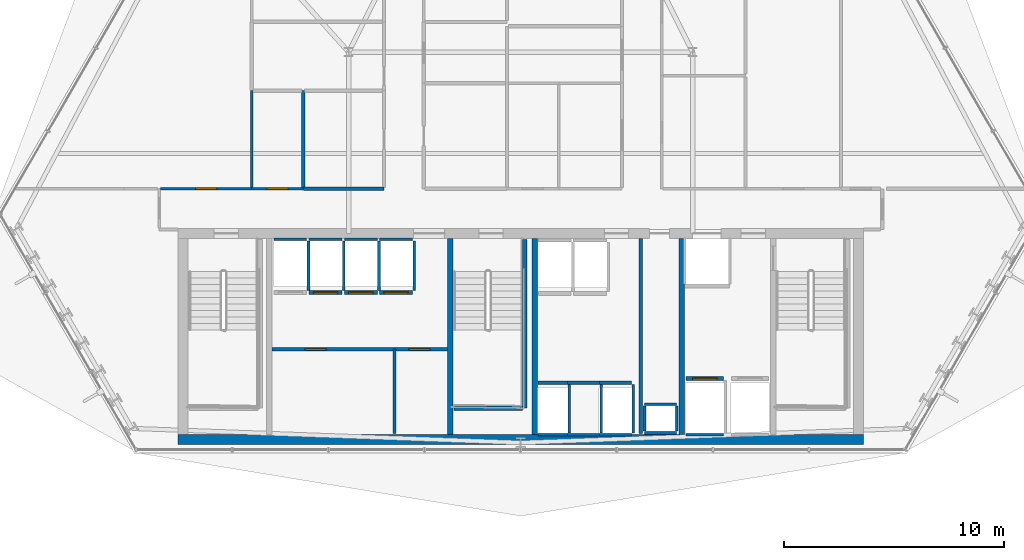
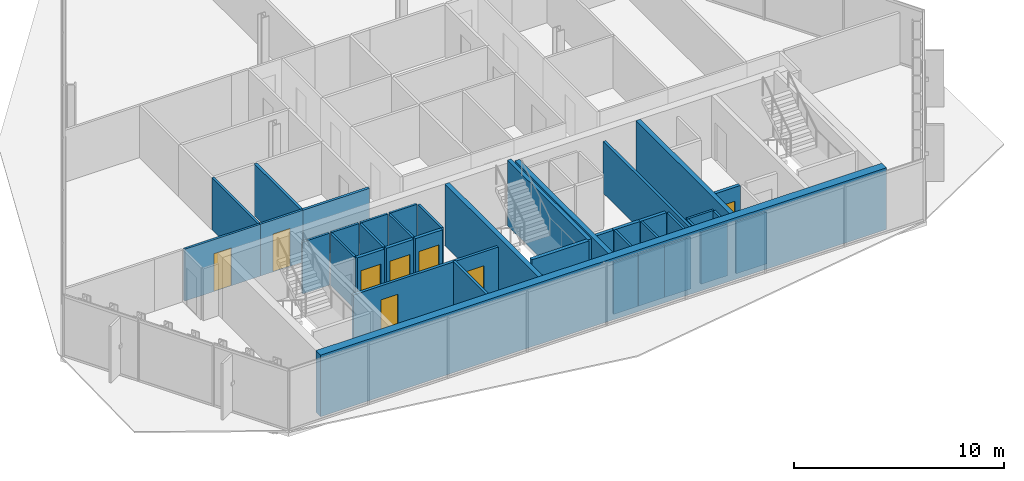
# One storey, part 27 of 36: 40 walls, 8 doors, 8 openings.
"""IFC4 building model written with IfcOpenShell, lengths in metres."""

from ifc_helpers import new_model, si_unit, direction, frame, frame_2d, origin, place, context, subcontext, project, spatial, rectangle, extrude, material, layer, layer_set, type_object, element, fill, save


model = new_model("IFC4")

# Units and contexts
model_context = context("Model", 3, precision=1e-05, world=origin(), true_north=direction((0.0, 1.0)))
body_context = subcontext(model_context, "Body", "Model", "MODEL_VIEW")
ifc_project = project(units=[si_unit("LENGTHUNIT", "METRE"), si_unit("AREAUNIT", "SQUARE_METRE"), si_unit("VOLUMEUNIT", "CUBIC_METRE"), si_unit("PLANEANGLEUNIT", "RADIAN"), si_unit("MASSUNIT", "GRAM", prefix="KILO")], contexts=[model_context])

# Site, building, storey
site_placement = place(None, origin())
site = spatial("IfcSite", under=ifc_project, at=site_placement, CompositionType="ELEMENT")
building_placement = place(site_placement, origin())
building = spatial("IfcBuilding", under=site, at=building_placement, Name="Ndaravel Arena Tower", CompositionType="ELEMENT")
storey_placement = place(building_placement, frame((0.0, 0.0, 127.0)))
storey = spatial("IfcBuildingStorey", under=building, at=storey_placement, Name="L29", CompositionType="ELEMENT", Elevation=127.0)

# Wall
ifc_material_1 = material(Name="Gypsum", Category="gypsum")
ifc_layer_1 = layer(ifc_material_1, 0.14990234375)
ifc_layer_set_1 = layer_set([ifc_layer_1], Name="Gypsum")
wall_type_1 = type_object("IfcWallType", Name="WALL-COMP-150", PredefinedType="PARTITIONING", material=ifc_layer_set_1)
wall_1_placement = place(storey_placement, frame((47.449951171875, 5.89990234375, 0.0), z_axis=(0.0, 0.0, 1.0), x_axis=(0.0, 1.0, 0.0)))
element("IfcWall", 1, at=wall_1_placement, inside=storey, type_object=wall_type_1, Name="L29 Core Riser Bay Partition", PredefinedType="PARTITIONING", context=body_context, shape_type="SweptSolid", body=[
    extrude(rectangle(XDim=8.85009765625, YDim=0.14990234375, at=frame_2d((4.425048828125, 0.0))), origin(), (0.0, 0.0, 1.0), 3.010498046875),
])

# Wall, openings, doors
wall_2_placement = place(storey_placement, frame((30.719970703125, 9.719970703125, 0.0), z_axis=(0.0, 0.0, 1.0), x_axis=(1.0, 0.0, 0.0)))
wall_2 = element("IfcWall", 2, at=wall_2_placement, inside=storey, type_object=wall_type_1, Name="L29 Reclaimed Shaft Partition", PredefinedType="PARTITIONING", context=body_context, shape_type="SweptSolid", body=[
    extrude(rectangle(XDim=7.9599609375, YDim=0.14990234375, at=frame_2d((3.97998046875, 0.0))), origin(), (0.0, 0.0, 1.0), 3.010498046875),
])
opening_1_placement = place(wall_2_placement, frame((1.5, 0.0, 0.0)))
opening_1 = element("IfcOpeningElement", 3, at=opening_1_placement, cuts=wall_2, Name="Opening FD-03", PredefinedType="OPENING", context=body_context, shape_type="SweptSolid", body=[
    extrude(rectangle(XDim=0.949951171875, YDim=2.199951171875, at=frame_2d((0.47509765625, 1.10009765625))), frame((0.0, 0.074951171875, 0.0), z_axis=(0.0, -1.0, 0.0), x_axis=(1.0, 0.0, 0.0)), (0.0, 0.0, 1.0), 0.14990234375),
])
opening_2_placement = place(wall_2_placement, frame((6.2099609375, 0.0, 0.0)))
opening_2 = element("IfcOpeningElement", 4, at=opening_2_placement, cuts=wall_2, Name="Opening FD-03", PredefinedType="OPENING", context=body_context, shape_type="SweptSolid", body=[
    extrude(rectangle(XDim=0.949951171875, YDim=2.199951171875, at=frame_2d((0.47509765625, 1.10009765625))), frame((0.0, 0.074951171875, 0.0), z_axis=(0.0, -1.0, 0.0), x_axis=(1.0, 0.0, 0.0)), (0.0, 0.0, 1.0), 0.14990234375),
])
ifc_material_2 = material(Name="Steel S355", Category="steel")
door_type_1 = type_object("IfcDoorType", Name="DT-11-CORE-950", OperationType="SINGLE_SWING_LEFT", PredefinedType="DOOR", material=ifc_material_2)
door_1_placement = place(opening_1_placement, origin())
door_1 = element("IfcDoor", 5, at=door_1_placement, inside=storey, type_object=door_type_1, Name="L29 ICT Server Room Door", OperationType="SINGLE_SWING_LEFT", OverallHeight=2.199951171875, OverallWidth=0.949951171875, PredefinedType="DOOR", context=body_context, shape_type="SweptSolid", body=[
    extrude(rectangle(XDim=0.949951171875, YDim=2.199951171875, at=frame_2d((0.47509765625, 1.10009765625))), frame((0.0, 0.02490234375, 0.0), z_axis=(0.0, -1.0, 0.0), x_axis=(1.0, 0.0, 0.0)), (0.0, 0.0, 1.0), 0.050048828125),
])
fill(opening_1, door_1)
door_2_placement = place(opening_2_placement, origin())
door_2 = element("IfcDoor", 6, at=door_2_placement, inside=storey, type_object=door_type_1, Name="L29 Core Archive Room Door", OperationType="SINGLE_SWING_RIGHT", OverallHeight=2.199951171875, OverallWidth=0.949951171875, PredefinedType="DOOR", context=body_context, shape_type="SweptSolid", body=[
    extrude(rectangle(XDim=0.949951171875, YDim=2.199951171875, at=frame_2d((0.47509765625, 1.10009765625))), frame((0.0, 0.02490234375, 0.0), z_axis=(0.0, -1.0, 0.0), x_axis=(1.0, 0.0, 0.0)), (0.0, 0.0, 1.0), 0.050048828125),
])
fill(opening_2, door_2)

# Walls
wall_3_placement = place(storey_placement, frame((36.280029296875, 5.89990234375, 0.0), z_axis=(0.0, 0.0, 1.0), x_axis=(0.0, 1.0, 0.0)))
element("IfcWall", 7, at=wall_3_placement, inside=storey, type_object=wall_type_1, Name="L29 Reclaimed Bay Divider", PredefinedType="PARTITIONING", context=body_context, shape_type="SweptSolid", body=[
    extrude(rectangle(XDim=3.820068359375, YDim=0.14990234375, at=frame_2d((1.91015625, 0.0))), origin(), (0.0, 0.0, 1.0), 3.010498046875),
])
ifc_material_3 = material(Name="Concrete C60/75", Category="concrete")
ifc_layer_2 = layer(ifc_material_3, 0.25)
ifc_layer_set_2 = layer_set([ifc_layer_2], Name="Concrete C60/75")
wall_type_2 = type_object("IfcWallType", Name="WALL-CORE-250", PredefinedType="SOLIDWALL", material=ifc_layer_set_2)
for number, where, z_axis, x_axis, name in (
    (8, (38.800048828125, 5.85009765625, 0.0), (0.0, 0.0, 1.0), (0.0, 1.0, 0.0), "L29 Core Web Shear Wall 2"),
    (9, (42.64990234375, 5.85009765625, 0.0), (0.0, 0.0, 1.0), (0.0, 1.0, 0.0), "L29 Core Web Shear Wall 3"),
    (10, (49.300048828125, 5.85009765625, 0.0), (0.0, 0.0, 1.0), (0.0, 1.0, 0.0), "L29 Core Web Shear Wall 4"),
):
    element("IfcWall", number, at=place(storey_placement, frame(where, z_axis=z_axis, x_axis=x_axis)), inside=storey, type_object=wall_type_2, Name=name, PredefinedType="SOLIDWALL", context=body_context, shape_type="SweptSolid", body=[
        extrude(rectangle(XDim=8.89990234375, YDim=0.25, at=frame_2d((4.449951171875, 0.0))), origin(), (0.0, 0.0, 1.0), 3.580078125),
    ])
ifc_material_4 = material(Name="Concrete C60/75", Category="concrete")
ifc_layer_3 = layer(ifc_material_4, 0.449951171875)
ifc_layer_set_3 = layer_set([ifc_layer_3], Name="Concrete C60/75")
wall_type_3 = type_object("IfcWallType", Name="WALL-CORE-450", PredefinedType="SOLIDWALL", material=ifc_layer_set_3)
wall_4_placement = place(storey_placement, frame((26.449951171875, 5.625, 0.0), z_axis=(0.0, 0.0, 1.0), x_axis=(1.0, 0.0, 0.0)))
element("IfcWall", 11, at=wall_4_placement, inside=storey, type_object=wall_type_3, Name="L29 Core South Shear Wall", PredefinedType="SOLIDWALL", context=body_context, shape_type="SweptSolid", body=[
    extrude(rectangle(XDim=31.10009765625, YDim=0.449951171875, at=frame_2d((15.550048828125, 0.0))), origin(), (0.0, 0.0, 1.0), 3.580078125),
])

# Wall, opening, door
ifc_material_5 = material(Name="Gypsum", Category="gypsum")
ifc_layer_4 = layer(ifc_material_5, 0.125)
ifc_layer_set_4 = layer_set([ifc_layer_4], Name="Gypsum")
wall_type_4 = type_object("IfcWallType", Name="WALL-PART-125", PredefinedType="PARTITIONING", material=ifc_layer_set_4)
wall_5_placement = place(storey_placement, frame((25.6650390625, 17.0, 0.0), z_axis=(0.0, 0.0, 1.0), x_axis=(1.0, 0.0, 0.0)))
wall_5 = element("IfcWall", 12, at=wall_5_placement, inside=storey, type_object=wall_type_4, Name="L29 Interior Partition 005", PredefinedType="PARTITIONING", context=body_context, shape_type="SweptSolid", body=[
    extrude(rectangle(XDim=4.135009765625, YDim=0.125, at=frame_2d((2.0673828125, 0.0))), origin(), (0.0, 0.0, 1.0), 3.010498046875),
])
opening_3_placement = place(wall_5_placement, frame((1.592529296875, 0.0, 0.0)))
opening_3 = element("IfcOpeningElement", 13, at=opening_3_placement, cuts=wall_5, Name="Opening ID-01", PredefinedType="OPENING", context=body_context, shape_type="SweptSolid", body=[
    extrude(rectangle(XDim=0.949951171875, YDim=2.199951171875, at=frame_2d((0.47509765625, 1.10009765625))), frame((0.0, 0.0625, 0.0), z_axis=(0.0, -1.0, 0.0), x_axis=(1.0, 0.0, 0.0)), (0.0, 0.0, 1.0), 0.125),
])
ifc_material_6 = material(Name="Timber", Category="wood")
door_type_2 = type_object("IfcDoorType", Name="DT-03-OFFICE-950", OperationType="SINGLE_SWING_LEFT", PredefinedType="DOOR", material=ifc_material_6)
door_3_placement = place(opening_3_placement, origin())
door_3 = element("IfcDoor", 14, at=door_3_placement, inside=storey, type_object=door_type_2, Name="L29 Barista Galley 3 Door", OperationType="SINGLE_SWING_LEFT", OverallHeight=2.199951171875, OverallWidth=0.949951171875, PredefinedType="DOOR", context=body_context, shape_type="SweptSolid", body=[
    extrude(rectangle(XDim=0.949951171875, YDim=2.199951171875, at=frame_2d((0.47509765625, 1.10009765625))), frame((0.0, 0.02490234375, 0.0), z_axis=(0.0, -1.0, 0.0), x_axis=(1.0, 0.0, 0.0)), (0.0, 0.0, 1.0), 0.050048828125),
])
fill(opening_3, door_3)

wall_6_placement = place(storey_placement, frame((29.800048828125, 17.0, 0.0), z_axis=(0.0, 0.0, 1.0), x_axis=(1.0, 0.0, 0.0)))
wall_6 = element("IfcWall", 15, at=wall_6_placement, inside=storey, type_object=wall_type_4, Name="L29 Interior Partition 006", PredefinedType="PARTITIONING", context=body_context, shape_type="SweptSolid", body=[
    extrude(rectangle(XDim=2.33984375, YDim=0.125, at=frame_2d((1.169921875, 0.0))), origin(), (0.0, 0.0, 1.0), 3.010498046875),
])
opening_4_placement = place(wall_6_placement, frame((0.695068359375, 0.0, 0.0)))
opening_4 = element("IfcOpeningElement", 16, at=opening_4_placement, cuts=wall_6, Name="Opening ID-01", PredefinedType="OPENING", context=body_context, shape_type="SweptSolid", body=[
    extrude(rectangle(XDim=0.949951171875, YDim=2.199951171875, at=frame_2d((0.47509765625, 1.10009765625))), frame((0.0, 0.0625, 0.0), z_axis=(0.0, -1.0, 0.0), x_axis=(1.0, 0.0, 0.0)), (0.0, 0.0, 1.0), 0.125),
])
door_4_placement = place(opening_4_placement, origin())
door_4 = element("IfcDoor", 17, at=door_4_placement, inside=storey, type_object=door_type_2, Name="L29 Staff Wellness Clinic Door", OperationType="SINGLE_SWING_RIGHT", OverallHeight=2.199951171875, OverallWidth=0.949951171875, PredefinedType="DOOR", context=body_context, shape_type="SweptSolid", body=[
    extrude(rectangle(XDim=0.949951171875, YDim=2.199951171875, at=frame_2d((0.47509765625, 1.10009765625))), frame((0.0, 0.02490234375, 0.0), z_axis=(0.0, -1.0, 0.0), x_axis=(1.0, 0.0, 0.0)), (0.0, 0.0, 1.0), 0.050048828125),
])
fill(opening_4, door_4)

# Walls
wall_7_placement = place(storey_placement, frame((29.800048828125, 17.06494140625, 0.0), z_axis=(0.0, 0.0, 1.0), x_axis=(0.0, 1.0, 0.0)))
element("IfcWall", 18, at=wall_7_placement, inside=storey, type_object=wall_type_4, Name="L29 Interior Partition 031", PredefinedType="PARTITIONING", context=body_context, shape_type="SweptSolid", body=[
    extrude(rectangle(XDim=4.381103515625, YDim=0.125, at=frame_2d((2.1904296875, 0.0))), origin(), (0.0, 0.0, 1.0), 3.010498046875),
])
ifc_material_7 = material(Name="Concrete C40/50", Category="concrete")
ifc_layer_5 = layer(ifc_material_7, 0.1201171875)
ifc_layer_set_5 = layer_set([ifc_layer_5], Name="Concrete C40/50")
wall_type_5 = type_object("IfcWallType", Name="WALL-SHAFT-120", PredefinedType="SOLIDWALL", material=ifc_layer_set_5)
for number, where, z_axis, x_axis, name in (
    (19, (47.6201171875, 5.919921875, 0.0), (0.0, 0.0, 1.0), (1.0, 0.0, 0.0), "L29 MEP Riser Shaft S Wall"),
    (20, (47.6201171875, 7.219970703125, 0.0), (0.0, 0.0, 1.0), (1.0, 0.0, 0.0), "L29 MEP Riser Shaft N Wall"),
):
    element("IfcWall", number, at=place(storey_placement, frame(where, z_axis=z_axis, x_axis=x_axis)), inside=storey, type_object=wall_type_5, Name=name, PredefinedType="SOLIDWALL", context=body_context, shape_type="SweptSolid", body=[
        extrude(rectangle(XDim=1.4599609375, YDim=0.1201171875, at=frame_2d((0.72998046875, 0.0))), origin(), (0.0, 0.0, 1.0), 3.010498046875),
    ])
for number, where, z_axis, x_axis, name in (
    (21, (47.6201171875, 6.0, 0.0), (0.0, 0.0, 1.0), (0.0, 1.0, 0.0), "L29 MEP Riser Shaft W Wall"),
    (22, (49.080078125, 6.0, 0.0), (0.0, 0.0, 1.0), (0.0, 1.0, 0.0), "L29 MEP Riser Shaft E Wall"),
):
    element("IfcWall", number, at=place(storey_placement, frame(where, z_axis=z_axis, x_axis=x_axis)), inside=storey, type_object=wall_type_5, Name=name, PredefinedType="SOLIDWALL", context=body_context, shape_type="SweptSolid", body=[
        extrude(rectangle(XDim=1.139892578125, YDim=0.1201171875, at=frame_2d((0.56982421875, 0.0))), origin(), (0.0, 0.0, 1.0), 3.010498046875),
    ])
wall_8_placement = place(storey_placement, frame((30.804931640625, 14.7099609375, 0.0), z_axis=(0.0, 0.0, 1.0), x_axis=(1.0, 0.0, 0.0)))
element("IfcWall", 23, at=wall_8_placement, inside=storey, type_object=wall_type_5, Name="L29 PL-M1 Shaft Rear Wall", PredefinedType="SOLIDWALL", context=body_context, shape_type="SweptSolid", body=[
    extrude(rectangle(XDim=1.489990234375, YDim=0.1201171875, at=frame_2d((0.7451171875, 0.0))), origin(), (0.0, 0.0, 1.0), 3.010498046875),
])
wall_9_placement = place(storey_placement, frame((32.375, 12.389892578125, 0.0), z_axis=(0.0, 0.0, 1.0), x_axis=(0.0, 1.0, 0.0)))
element("IfcWall", 24, at=wall_9_placement, inside=storey, type_object=wall_type_5, Name="L29 PL-M1 Shaft Side R Wall", PredefinedType="SOLIDWALL", context=body_context, shape_type="SweptSolid", body=[
    extrude(rectangle(XDim=2.230224609375, YDim=0.1201171875, at=frame_2d((1.115234375, 0.0))), origin(), (0.0, 0.0, 1.0), 3.010498046875),
])
wall_10_placement = place(storey_placement, frame((32.405029296875, 14.7099609375, 0.0), z_axis=(0.0, 0.0, 1.0), x_axis=(1.0, 0.0, 0.0)))
element("IfcWall", 25, at=wall_10_placement, inside=storey, type_object=wall_type_5, Name="L29 PL-M2 Shaft Rear Wall", PredefinedType="SOLIDWALL", context=body_context, shape_type="SweptSolid", body=[
    extrude(rectangle(XDim=1.489990234375, YDim=0.1201171875, at=frame_2d((0.7451171875, 0.0))), origin(), (0.0, 0.0, 1.0), 3.010498046875),
])
wall_11_placement = place(storey_placement, frame((33.97509765625, 12.389892578125, 0.0), z_axis=(0.0, 0.0, 1.0), x_axis=(0.0, 1.0, 0.0)))
element("IfcWall", 26, at=wall_11_placement, inside=storey, type_object=wall_type_5, Name="L29 PL-M2 Shaft Side R Wall", PredefinedType="SOLIDWALL", context=body_context, shape_type="SweptSolid", body=[
    extrude(rectangle(XDim=2.230224609375, YDim=0.1201171875, at=frame_2d((1.115234375, 0.0))), origin(), (0.0, 0.0, 1.0), 3.010498046875),
])
wall_12_placement = place(storey_placement, frame((34.0048828125, 14.7099609375, 0.0), z_axis=(0.0, 0.0, 1.0), x_axis=(1.0, 0.0, 0.0)))
element("IfcWall", 27, at=wall_12_placement, inside=storey, type_object=wall_type_5, Name="L29 PL-M3 Shaft Rear Wall", PredefinedType="SOLIDWALL", context=body_context, shape_type="SweptSolid", body=[
    extrude(rectangle(XDim=1.490234375, YDim=0.1201171875, at=frame_2d((0.7451171875, 0.0))), origin(), (0.0, 0.0, 1.0), 3.010498046875),
])
wall_13_placement = place(storey_placement, frame((35.574951171875, 12.389892578125, 0.0), z_axis=(0.0, 0.0, 1.0), x_axis=(0.0, 1.0, 0.0)))
element("IfcWall", 28, at=wall_13_placement, inside=storey, type_object=wall_type_5, Name="L29 PL-M3 Shaft Side R Wall", PredefinedType="SOLIDWALL", context=body_context, shape_type="SweptSolid", body=[
    extrude(rectangle(XDim=2.230224609375, YDim=0.1201171875, at=frame_2d((1.115234375, 0.0))), origin(), (0.0, 0.0, 1.0), 3.010498046875),
])
wall_14_placement = place(storey_placement, frame((35.60498046875, 14.7099609375, 0.0), z_axis=(0.0, 0.0, 1.0), x_axis=(1.0, 0.0, 0.0)))
element("IfcWall", 29, at=wall_14_placement, inside=storey, type_object=wall_type_5, Name="L29 PL-M4 Shaft Rear Wall", PredefinedType="SOLIDWALL", context=body_context, shape_type="SweptSolid", body=[
    extrude(rectangle(XDim=1.489990234375, YDim=0.1201171875, at=frame_2d((0.7451171875, 0.0))), origin(), (0.0, 0.0, 1.0), 3.010498046875),
])
wall_15_placement = place(storey_placement, frame((37.175048828125, 12.389892578125, 0.0), z_axis=(0.0, 0.0, 1.0), x_axis=(0.0, 1.0, 0.0)))
element("IfcWall", 30, at=wall_15_placement, inside=storey, type_object=wall_type_5, Name="L29 PL-M4 Shaft Side R Wall", PredefinedType="SOLIDWALL", context=body_context, shape_type="SweptSolid", body=[
    extrude(rectangle(XDim=2.230224609375, YDim=0.1201171875, at=frame_2d((1.115234375, 0.0))), origin(), (0.0, 0.0, 1.0), 3.010498046875),
])
wall_16_placement = place(storey_placement, frame((42.780029296875, 5.840087890625, 0.0), z_axis=(0.0, 0.0, 1.0), x_axis=(1.0, 0.0, 0.0)))
element("IfcWall", 31, at=wall_16_placement, inside=storey, type_object=wall_type_5, Name="L29 PL-H1 Shaft Rear Wall", PredefinedType="SOLIDWALL", context=body_context, shape_type="SweptSolid", body=[
    extrude(rectangle(XDim=1.340087890625, YDim=0.1201171875, at=frame_2d((0.669921875, 0.0))), origin(), (0.0, 0.0, 1.0), 3.010498046875),
])
wall_17_placement = place(storey_placement, frame((44.199951171875, 5.929931640625, 0.0), z_axis=(0.0, 0.0, 1.0), x_axis=(0.0, 1.0, 0.0)))
element("IfcWall", 32, at=wall_17_placement, inside=storey, type_object=wall_type_5, Name="L29 PL-H1 Shaft Side R Wall", PredefinedType="SOLIDWALL", context=body_context, shape_type="SweptSolid", body=[
    extrude(rectangle(XDim=2.18017578125, YDim=0.1201171875, at=frame_2d((1.090087890625, 0.0))), origin(), (0.0, 0.0, 1.0), 3.010498046875),
])
wall_18_placement = place(storey_placement, frame((44.1298828125, 5.840087890625, 0.0), z_axis=(0.0, 0.0, 1.0), x_axis=(1.0, 0.0, 0.0)))
element("IfcWall", 33, at=wall_18_placement, inside=storey, type_object=wall_type_5, Name="L29 PL-H2 Shaft Rear Wall", PredefinedType="SOLIDWALL", context=body_context, shape_type="SweptSolid", body=[
    extrude(rectangle(XDim=1.440185546875, YDim=0.1201171875, at=frame_2d((0.72021484375, 0.0))), origin(), (0.0, 0.0, 1.0), 3.010498046875),
])
wall_19_placement = place(storey_placement, frame((45.64990234375, 5.929931640625, 0.0), z_axis=(0.0, 0.0, 1.0), x_axis=(0.0, 1.0, 0.0)))
element("IfcWall", 34, at=wall_19_placement, inside=storey, type_object=wall_type_5, Name="L29 PL-H2 Shaft Side R Wall", PredefinedType="SOLIDWALL", context=body_context, shape_type="SweptSolid", body=[
    extrude(rectangle(XDim=2.18017578125, YDim=0.1201171875, at=frame_2d((1.090087890625, 0.0))), origin(), (0.0, 0.0, 1.0), 3.010498046875),
])
wall_20_placement = place(storey_placement, frame((45.580078125, 5.840087890625, 0.0), z_axis=(0.0, 0.0, 1.0), x_axis=(1.0, 0.0, 0.0)))
element("IfcWall", 35, at=wall_20_placement, inside=storey, type_object=wall_type_5, Name="L29 PL-H3 Shaft Rear Wall", PredefinedType="SOLIDWALL", context=body_context, shape_type="SweptSolid", body=[
    extrude(rectangle(XDim=1.43994140625, YDim=0.1201171875, at=frame_2d((0.719970703125, 0.0))), origin(), (0.0, 0.0, 1.0), 3.010498046875),
])
wall_21_placement = place(storey_placement, frame((47.10009765625, 5.929931640625, 0.0), z_axis=(0.0, 0.0, 1.0), x_axis=(0.0, 1.0, 0.0)))
element("IfcWall", 36, at=wall_21_placement, inside=storey, type_object=wall_type_5, Name="L29 PL-H3 Shaft Side R Wall", PredefinedType="SOLIDWALL", context=body_context, shape_type="SweptSolid", body=[
    extrude(rectangle(XDim=2.18017578125, YDim=0.1201171875, at=frame_2d((1.090087890625, 0.0))), origin(), (0.0, 0.0, 1.0), 3.010498046875),
])
wall_22_placement = place(storey_placement, frame((49.5048828125, 5.840087890625, 0.0), z_axis=(0.0, 0.0, 1.0), x_axis=(1.0, 0.0, 0.0)))
element("IfcWall", 37, at=wall_22_placement, inside=storey, type_object=wall_type_5, Name="L29 FFL-1 Shaft Rear Wall", PredefinedType="SOLIDWALL", context=body_context, shape_type="SweptSolid", body=[
    extrude(rectangle(XDim=1.690185546875, YDim=0.1201171875, at=frame_2d((0.84521484375, 0.0))), origin(), (0.0, 0.0, 1.0), 3.010498046875),
])
ifc_material_8 = material(Name="Concrete C40/50", Category="concrete")
ifc_layer_6 = layer(ifc_material_8, 0.199951171875)
ifc_layer_set_6 = layer_set([ifc_layer_6], Name="Concrete C40/50")
wall_type_6 = type_object("IfcWallType", Name="WALL-SHAFT-200", PredefinedType="SOLIDWALL", material=ifc_layer_set_6)
wall_23_placement = place(storey_placement, frame((42.18994140625, 14.699951171875, 0.0), z_axis=(0.0, 0.0, 1.0), x_axis=(0.0, -1.0, 0.0)))
element("IfcWall", 38, at=wall_23_placement, inside=storey, type_object=wall_type_6, Name="L29 ST-2 Structural Shaft Wall Right", PredefinedType="SOLIDWALL", context=body_context, shape_type="SweptSolid", body=[
    extrude(rectangle(XDim=7.64990234375, YDim=0.199951171875, at=frame_2d((3.824951171875, 0.0))), origin(), (0.0, 0.0, 1.0), 3.800048828125),
])
wall_24_placement = place(storey_placement, frame((38.969970703125, 7.050048828125, 0.0), z_axis=(0.0, 0.0, 1.0), x_axis=(1.0, 0.0, 0.0)))
element("IfcWall", 39, at=wall_24_placement, inside=storey, type_object=wall_type_6, Name="L29 ST-2 Structural Shaft Wall Far", PredefinedType="SOLIDWALL", context=body_context, shape_type="SweptSolid", body=[
    extrude(rectangle(XDim=3.114990234375, YDim=0.199951171875, at=frame_2d((1.5576171875, 0.0))), origin(), (0.0, 0.0, 1.0), 3.800048828125),
])

# Wall, opening, door
wall_25_placement = place(storey_placement, frame((32.405029296875, 12.300048828125, 0.0), z_axis=(0.0, 0.0, 1.0), x_axis=(1.0, 0.0, 0.0)))
wall_25 = element("IfcWall", 40, at=wall_25_placement, inside=storey, type_object=wall_type_6, Name="L29 PL-M2 Shaft Landing Wall", PredefinedType="SOLIDWALL", context=body_context, shape_type="SweptSolid", body=[
    extrude(rectangle(XDim=1.489990234375, YDim=0.179931640625, at=frame_2d((0.7451171875, 0.0))), origin(), (0.0, 0.0, 1.0), 3.010498046875),
])
opening_5_placement = place(wall_25_placement, frame((0.195068359375, 0.0, 0.0)))
opening_5 = element("IfcOpeningElement", 41, at=opening_5_placement, cuts=wall_25, Name="Opening LD-01", PredefinedType="OPENING", context=body_context, shape_type="SweptSolid", body=[
    extrude(rectangle(XDim=1.10009765625, YDim=2.199951171875, at=frame_2d((0.550048828125, 1.10009765625))), frame((0.0, 0.08984375, 0.0), z_axis=(0.0, -1.0, 0.0), x_axis=(1.0, 0.0, 0.0)), (0.0, 0.0, 1.0), 0.179931640625),
])
ifc_material_9 = material(Name="Steel S355", Category="steel")
door_type_3 = type_object("IfcDoorType", Name="DT-06-LIFT-1100", OperationType="SLIDING_TO_LEFT", PredefinedType="DOOR", material=ifc_material_9)
door_5_placement = place(opening_5_placement, origin())
door_5 = element("IfcDoor", 42, at=door_5_placement, inside=storey, type_object=door_type_3, Name="L29 Lift PL-M2 Sliding Landing Door", OperationType="SLIDING_TO_LEFT", OverallHeight=2.199951171875, OverallWidth=1.10009765625, PredefinedType="DOOR", context=body_context, shape_type="SweptSolid", body=[
    extrude(rectangle(XDim=1.10009765625, YDim=2.199951171875, at=frame_2d((0.550048828125, 1.10009765625))), frame((0.0, 0.02490234375, 0.0), z_axis=(0.0, -1.0, 0.0), x_axis=(1.0, 0.0, 0.0)), (0.0, 0.0, 1.0), 0.050048828125),
])
fill(opening_5, door_5)

wall_26_placement = place(storey_placement, frame((34.0048828125, 12.300048828125, 0.0), z_axis=(0.0, 0.0, 1.0), x_axis=(1.0, 0.0, 0.0)))
wall_26 = element("IfcWall", 43, at=wall_26_placement, inside=storey, type_object=wall_type_6, Name="L29 PL-M3 Shaft Landing Wall", PredefinedType="SOLIDWALL", context=body_context, shape_type="SweptSolid", body=[
    extrude(rectangle(XDim=1.490234375, YDim=0.179931640625, at=frame_2d((0.7451171875, 0.0))), origin(), (0.0, 0.0, 1.0), 3.010498046875),
])
opening_6_placement = place(wall_26_placement, frame((0.195068359375, 0.0, 0.0)))
opening_6 = element("IfcOpeningElement", 44, at=opening_6_placement, cuts=wall_26, Name="Opening LD-01", PredefinedType="OPENING", context=body_context, shape_type="SweptSolid", body=[
    extrude(rectangle(XDim=1.10009765625, YDim=2.199951171875, at=frame_2d((0.550048828125, 1.10009765625))), frame((0.0, 0.08984375, 0.0), z_axis=(0.0, -1.0, 0.0), x_axis=(1.0, 0.0, 0.0)), (0.0, 0.0, 1.0), 0.179931640625),
])
door_6_placement = place(opening_6_placement, origin())
door_6 = element("IfcDoor", 45, at=door_6_placement, inside=storey, type_object=door_type_3, Name="L29 Lift PL-M3 Sliding Landing Door", OperationType="SLIDING_TO_LEFT", OverallHeight=2.199951171875, OverallWidth=1.10009765625, PredefinedType="DOOR", context=body_context, shape_type="SweptSolid", body=[
    extrude(rectangle(XDim=1.10009765625, YDim=2.199951171875, at=frame_2d((0.550048828125, 1.10009765625))), frame((0.0, 0.02490234375, 0.0), z_axis=(0.0, -1.0, 0.0), x_axis=(1.0, 0.0, 0.0)), (0.0, 0.0, 1.0), 0.050048828125),
])
fill(opening_6, door_6)

wall_27_placement = place(storey_placement, frame((35.60498046875, 12.300048828125, 0.0), z_axis=(0.0, 0.0, 1.0), x_axis=(1.0, 0.0, 0.0)))
wall_27 = element("IfcWall", 46, at=wall_27_placement, inside=storey, type_object=wall_type_6, Name="L29 PL-M4 Shaft Landing Wall", PredefinedType="SOLIDWALL", context=body_context, shape_type="SweptSolid", body=[
    extrude(rectangle(XDim=1.489990234375, YDim=0.179931640625, at=frame_2d((0.7451171875, 0.0))), origin(), (0.0, 0.0, 1.0), 3.010498046875),
])
opening_7_placement = place(wall_27_placement, frame((0.195068359375, 0.0, 0.0)))
opening_7 = element("IfcOpeningElement", 47, at=opening_7_placement, cuts=wall_27, Name="Opening LD-01", PredefinedType="OPENING", context=body_context, shape_type="SweptSolid", body=[
    extrude(rectangle(XDim=1.10009765625, YDim=2.199951171875, at=frame_2d((0.550048828125, 1.10009765625))), frame((0.0, 0.08984375, 0.0), z_axis=(0.0, -1.0, 0.0), x_axis=(1.0, 0.0, 0.0)), (0.0, 0.0, 1.0), 0.179931640625),
])
door_7_placement = place(opening_7_placement, origin())
door_7 = element("IfcDoor", 48, at=door_7_placement, inside=storey, type_object=door_type_3, Name="L29 Lift PL-M4 Sliding Landing Door", OperationType="SLIDING_TO_LEFT", OverallHeight=2.199951171875, OverallWidth=1.10009765625, PredefinedType="DOOR", context=body_context, shape_type="SweptSolid", body=[
    extrude(rectangle(XDim=1.10009765625, YDim=2.199951171875, at=frame_2d((0.550048828125, 1.10009765625))), frame((0.0, 0.02490234375, 0.0), z_axis=(0.0, -1.0, 0.0), x_axis=(1.0, 0.0, 0.0)), (0.0, 0.0, 1.0), 0.050048828125),
])
fill(opening_7, door_7)

# Walls
wall_28_placement = place(storey_placement, frame((42.780029296875, 8.199951171875, 0.0), z_axis=(0.0, 0.0, 1.0), x_axis=(1.0, 0.0, 0.0)))
element("IfcWall", 49, at=wall_28_placement, inside=storey, type_object=wall_type_6, Name="L29 PL-H1 Shaft Landing Wall", PredefinedType="SOLIDWALL", context=body_context, shape_type="SweptSolid", body=[
    extrude(rectangle(XDim=1.340087890625, YDim=0.179931640625, at=frame_2d((0.669921875, 0.0))), origin(), (0.0, 0.0, 1.0), 3.010498046875),
])
wall_29_placement = place(storey_placement, frame((44.1298828125, 8.199951171875, 0.0), z_axis=(0.0, 0.0, 1.0), x_axis=(1.0, 0.0, 0.0)))
element("IfcWall", 50, at=wall_29_placement, inside=storey, type_object=wall_type_6, Name="L29 PL-H2 Shaft Landing Wall", PredefinedType="SOLIDWALL", context=body_context, shape_type="SweptSolid", body=[
    extrude(rectangle(XDim=1.440185546875, YDim=0.179931640625, at=frame_2d((0.72021484375, 0.0))), origin(), (0.0, 0.0, 1.0), 3.010498046875),
])
wall_30_placement = place(storey_placement, frame((45.580078125, 8.199951171875, 0.0), z_axis=(0.0, 0.0, 1.0), x_axis=(1.0, 0.0, 0.0)))
element("IfcWall", 51, at=wall_30_placement, inside=storey, type_object=wall_type_6, Name="L29 PL-H3 Shaft Landing Wall", PredefinedType="SOLIDWALL", context=body_context, shape_type="SweptSolid", body=[
    extrude(rectangle(XDim=1.43994140625, YDim=0.179931640625, at=frame_2d((0.719970703125, 0.0))), origin(), (0.0, 0.0, 1.0), 3.010498046875),
])

# Wall, opening, door
wall_31_placement = place(storey_placement, frame((49.5048828125, 8.39990234375, 0.0), z_axis=(0.0, 0.0, 1.0), x_axis=(1.0, 0.0, 0.0)))
wall_31 = element("IfcWall", 52, at=wall_31_placement, inside=storey, type_object=wall_type_6, Name="L29 FFL-1 Shaft Landing Wall", PredefinedType="SOLIDWALL", context=body_context, shape_type="SweptSolid", body=[
    extrude(rectangle(XDim=1.690185546875, YDim=0.179931640625, at=frame_2d((0.84521484375, 0.0))), origin(), (0.0, 0.0, 1.0), 3.010498046875),
])
opening_8_placement = place(wall_31_placement, frame((0.294921875, 0.0, 0.0)))
opening_8 = element("IfcOpeningElement", 53, at=opening_8_placement, cuts=wall_31, Name="Opening LD-01", PredefinedType="OPENING", context=body_context, shape_type="SweptSolid", body=[
    extrude(rectangle(XDim=1.10009765625, YDim=2.199951171875, at=frame_2d((0.550048828125, 1.10009765625))), frame((0.0, 0.08984375, 0.0), z_axis=(0.0, -1.0, 0.0), x_axis=(1.0, 0.0, 0.0)), (0.0, 0.0, 1.0), 0.179931640625),
])
door_8_placement = place(opening_8_placement, origin())
door_8 = element("IfcDoor", 54, at=door_8_placement, inside=storey, type_object=door_type_3, Name="L29 Lift FFL-1 Sliding Landing Door", OperationType="SLIDING_TO_LEFT", OverallHeight=2.199951171875, OverallWidth=1.10009765625, PredefinedType="DOOR", context=body_context, shape_type="SweptSolid", body=[
    extrude(rectangle(XDim=1.10009765625, YDim=2.199951171875, at=frame_2d((0.550048828125, 1.10009765625))), frame((0.0, 0.02490234375, 0.0), z_axis=(0.0, -1.0, 0.0), x_axis=(1.0, 0.0, 0.0)), (0.0, 0.0, 1.0), 0.050048828125),
])
fill(opening_8, door_8)

# Walls
ifc_material_10 = material(Name="Masonry", Category="masonry")
ifc_layer_7 = layer(ifc_material_10, 0.14990234375)
ifc_layer_set_7 = layer_set([ifc_layer_7], Name="Masonry")
wall_type_7 = type_object("IfcWallType", Name="WALL-WET-150", PredefinedType="PARTITIONING", material=ifc_layer_set_7)
wall_32_placement = place(storey_placement, frame((32.139892578125, 17.0, 0.0), z_axis=(0.0, 0.0, 1.0), x_axis=(1.0, 0.0, 0.0)))
element("IfcWall", 55, at=wall_32_placement, inside=storey, type_object=wall_type_7, Name="L29 Interior Partition 007", PredefinedType="PARTITIONING", context=body_context, shape_type="SweptSolid", body=[
    extrude(rectangle(XDim=3.66015625, YDim=0.14990234375, at=frame_2d((1.830078125, 0.0))), origin(), (0.0, 0.0, 1.0), 3.010498046875),
])
wall_33_placement = place(storey_placement, frame((32.139892578125, 21.446044921875, 0.0), z_axis=(0.0, 0.0, 1.0), x_axis=(0.0, -1.0, 0.0)))
element("IfcWall", 56, at=wall_33_placement, inside=storey, type_object=wall_type_7, Name="L29 Interior Partition 030", PredefinedType="PARTITIONING", context=body_context, shape_type="SweptSolid", body=[
    extrude(rectangle(XDim=4.381103515625, YDim=0.14990234375, at=frame_2d((2.1904296875, 0.0))), origin(), (0.0, 0.0, 1.0), 3.010498046875),
])

save(model, "model.ifc")
